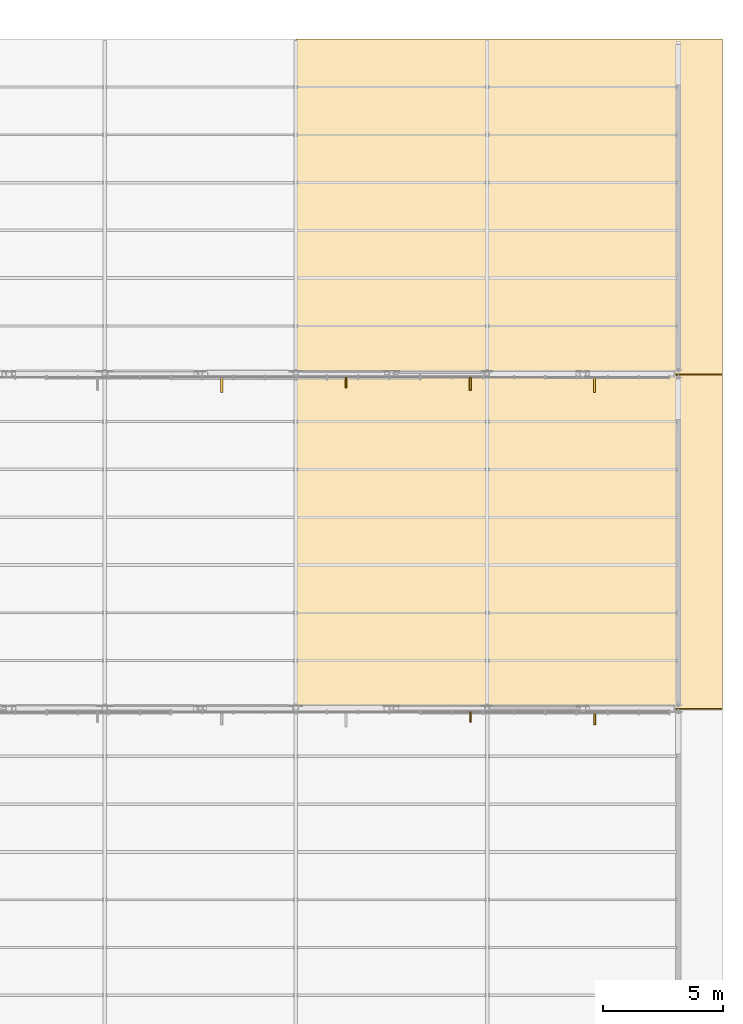
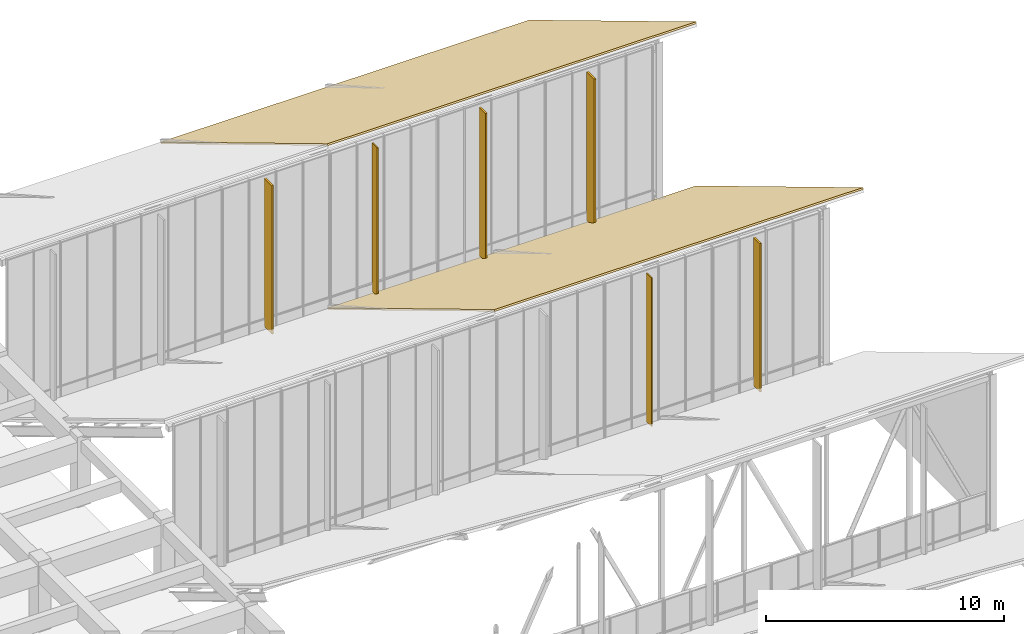
# One storey, part 155 of 155: 6 shading devices, 2 coverings.
"""IFC4 building model written with IfcOpenShell, lengths in metres."""

import ifcopenshell
import ifcopenshell.guid

model = None  # the IFC model being written
_history = None  # IfcOwnerHistory: only IFC2X3 demands one
_inside = {}  # id of a spatial element -> (the spatial element, [elements in it])
_under = {}  # id of a project, library or spatial element -> (it, [spatial elements below it])
_declared = {}  # id of a project -> (the project, [libraries it declares])
_typed = {}  # id of a type object -> (the type object, [elements of that type])
_made_of = {}  # id of a material, layer set ... -> (it, [elements and type objects made of it])


def new_model(schema):
    """Start an empty IFC model of exactly this schema.

    Asked for "IFC4X3", IfcOpenShell would pick the latest addendum, in which some entities
    have other attributes; the version numbers below select the first issue.
    IFC2X3 requires an IfcOwnerHistory on every rooted entity: one is made here for all.
    """
    global model, _history
    if schema == "IFC4X3":
        model = ifcopenshell.file(schema_version=(4, 3, 0, 0))
    else:
        model = ifcopenshell.file(schema=schema)
    _inside.clear()
    _under.clear()
    _declared.clear()
    _typed.clear()
    _made_of.clear()
    _history = None
    if model.schema == "IFC2X3":
        org = make("IfcOrganization", Name="unknown")
        user = make(
            "IfcPersonAndOrganization",
            ThePerson=make("IfcPerson", FamilyName="unknown"),
            TheOrganization=org,
        )
        app = make(
            "IfcApplication",
            ApplicationDeveloper=org,
            Version="unknown",
            ApplicationFullName="unknown",
            ApplicationIdentifier="unknown",
        )
        _history = make(
            "IfcOwnerHistory",
            OwningUser=user,
            OwningApplication=app,
            ChangeAction="ADDED",
            CreationDate=0,
        )
    return model


def make(cls, **values):
    """One entity of the class cls with the attributes given. An attribute that is None is left unset."""
    return model.create_entity(
        cls, **{name: value for name, value in values.items() if value is not None}
    )


def rooted(cls, **values):
    """An entity with a GlobalId (a new one), such as an element, a storey or a relation."""
    return make(cls, GlobalId=ifcopenshell.guid.new(), OwnerHistory=_history, **values)


def si_unit(unit_type, name, prefix=None):
    """IfcSIUnit, for example si_unit("LENGTHUNIT", "METRE", prefix="MILLI")."""
    return make("IfcSIUnit", UnitType=unit_type, Prefix=prefix, Name=name)


def assignment(units):
    """IfcUnitAssignment: the units of a project."""
    return None if units is None else make("IfcUnitAssignment", Units=units)


def point(xyz):
    """IfcCartesianPoint."""
    return None if xyz is None else make("IfcCartesianPoint", Coordinates=xyz)


def direction(xyz):
    """IfcDirection."""
    return None if xyz is None else make("IfcDirection", DirectionRatios=xyz)


def frame(location, z_axis=None, x_axis=None):
    """IfcAxis2Placement3D, a coordinate frame: its origin and axes. An axis left out is left unset."""
    return make(
        "IfcAxis2Placement3D",
        Location=point(location),
        Axis=direction(z_axis),
        RefDirection=direction(x_axis),
    )


def frame_2d(location, x_axis=None):
    """IfcAxis2Placement2D, a coordinate frame in the plane: its origin and x axis."""
    return make(
        "IfcAxis2Placement2D", Location=point(location), RefDirection=direction(x_axis)
    )


def origin():
    """The frame at (0, 0, 0) with its axes left unset."""
    return frame((0.0, 0.0, 0.0))


def origin_2d():
    """The frame at (0, 0) in the plane with its x axis left unset."""
    return frame_2d((0.0, 0.0))


def place(relative_to, where):
    """IfcLocalPlacement: puts the frame where relative to a parent placement (None: the world)."""
    return make(
        "IfcLocalPlacement", PlacementRelTo=relative_to, RelativePlacement=where
    )


def context(
    kind, dimensions, precision=None, world=None, true_north=None, identifier=None
):
    """IfcGeometricRepresentationContext, for example the 3D "Model" context."""
    return make(
        "IfcGeometricRepresentationContext",
        ContextIdentifier=identifier,
        ContextType=kind,
        CoordinateSpaceDimension=dimensions,
        Precision=precision,
        WorldCoordinateSystem=world,
        TrueNorth=true_north,
    )


def subcontext(parent, identifier, kind, view, scale=None):
    """IfcGeometricRepresentationSubContext, for example "Body" below "Model"."""
    return make(
        "IfcGeometricRepresentationSubContext",
        ContextIdentifier=identifier,
        ContextType=kind,
        ParentContext=parent,
        TargetScale=scale,
        TargetView=view,
    )


def project(units=None, contexts=None):
    """IfcProject with its units and contexts."""
    return rooted(
        "IfcProject",
        Name="project",
        RepresentationContexts=contexts,
        UnitsInContext=assignment(units),
    )


def spatial(cls, under=None, at=None, **own):
    """A site, building, storey or space (cls), placed at a placement, below another one or the project."""
    s = rooted(cls, ObjectPlacement=at, **own)
    if under is not None:
        _under.setdefault(under.id(), (under, []))[1].append(s)
    return s


def polyline(points):
    """IfcPolyline through the points."""
    return make("IfcPolyline", Points=[point(p) for p in points])


def profile(cls, at=None, kind="AREA", **sizes):
    """A parametric profile (cls). Its sizes go by their IFC names, for example OverallWidth=200.0."""
    return make(cls, ProfileType=kind, Position=at, **sizes)


def rectangle(**sizes):
    """IfcRectangleProfileDef."""
    return profile("IfcRectangleProfileDef", **sizes)


def outline(outer, holes=None, kind="AREA"):
    """IfcArbitraryClosedProfileDef: a profile drawn as a closed curve; with holes, ...WithVoids."""
    if holes is None:
        return make("IfcArbitraryClosedProfileDef", ProfileType=kind, OuterCurve=outer)
    return make(
        "IfcArbitraryProfileDefWithVoids",
        ProfileType=kind,
        OuterCurve=outer,
        InnerCurves=holes,
    )


def extrude(swept, where, along, depth):
    """IfcExtrudedAreaSolid: the profile swept, set in the frame where, extruded along a direction by depth."""
    return make(
        "IfcExtrudedAreaSolid",
        SweptArea=swept,
        Position=where,
        ExtrudedDirection=direction(along),
        Depth=depth,
    )


def shape(context_of_items, identifier, shape_type, items):
    """IfcShapeRepresentation: the items that make up one representation, for example the "Body"."""
    return make(
        "IfcShapeRepresentation",
        ContextOfItems=context_of_items,
        RepresentationIdentifier=identifier,
        RepresentationType=shape_type,
        Items=items,
    )


def material(Name=None, Category=None):
    """IfcMaterial."""
    return make("IfcMaterial", Name=Name, Category=Category)


def layer(
    of_material, thickness, ventilated=None, Name=None, Category=None, Priority=None
):
    """IfcMaterialLayer: one layer of a wall or slab, of a material (None: an air gap)."""
    return make(
        "IfcMaterialLayer",
        Material=of_material,
        LayerThickness=thickness,
        IsVentilated=ventilated,
        Name=Name,
        Category=Category,
        Priority=Priority,
    )


def layer_set(layers, Name=None):
    """IfcMaterialLayerSet."""
    return make("IfcMaterialLayerSet", MaterialLayers=layers, LayerSetName=Name)


def made_of(thing, what):
    """Note that an element or type object is made of a material, layer set ...; save() writes the relation."""
    if what is not None:
        _made_of.setdefault(what.id(), (what, []))[1].append(thing)
    return thing


def type_object(cls, material=None, **own):
    """A type object (cls), such as IfcWallType, which elements share."""
    return made_of(rooted(cls, **own), material)


def element(
    cls,
    number,
    at=None,
    inside=None,
    cuts=None,
    type_object=None,
    material=None,
    context=None,
    identifier="Body",
    shape_type=None,
    held_by="IfcProductDefinitionShape",
    body=None,
    shapes=None,
    **own,
):
    """One element of the class cls, such as IfcWall. Its Tag is "e" and its number.

    at: its placement. inside: the storey or other place that contains it. cuts: it is an
    opening in that element (IfcRelVoidsElement). A single representation is given by context,
    identifier, shape_type and body (its items); several are given by shapes. held_by: the class
    of the entity that holds the representations. save() writes the other relations.
    """
    e = rooted(cls, Tag="e%d" % number, ObjectPlacement=at, **own)
    if body is not None:
        shapes = [shape(context, identifier, shape_type, body)]
    if shapes is not None:
        e.Representation = make(held_by, Representations=shapes)
    if inside is not None:
        _inside.setdefault(inside.id(), (inside, []))[1].append(e)
    if cuts is not None:
        rooted(
            "IfcRelVoidsElement", RelatingBuildingElement=cuts, RelatedOpeningElement=e
        )
    if type_object is not None:
        _typed.setdefault(type_object.id(), (type_object, []))[1].append(e)
    return made_of(e, material)


def aggregate(whole, parts):
    """IfcRelAggregates: a whole, such as a stair, and the parts it consists of."""
    return rooted("IfcRelAggregates", RelatingObject=whole, RelatedObjects=parts)


def save(model, path):
    """Write the relations noted so far, then the file.

    IfcRelAggregates (storeys below a building ...), IfcRelContainedInSpatialStructure (elements
    in a storey), IfcRelDefinesByType, IfcRelAssociatesMaterial and IfcRelDeclares: one each for
    every whole, place, type object, material and project.
    """
    for whole, parts in _under.values():
        aggregate(whole, parts)
    for where, things in _inside.values():
        rooted(
            "IfcRelContainedInSpatialStructure",
            RelatedElements=things,
            RelatingStructure=where,
        )
    for kind, things in _typed.values():
        rooted("IfcRelDefinesByType", RelatedObjects=things, RelatingType=kind)
    for what, things in _made_of.values():
        rooted("IfcRelAssociatesMaterial", RelatedObjects=things, RelatingMaterial=what)
    for by, libraries in _declared.values():
        rooted("IfcRelDeclares", RelatingContext=by, RelatedDefinitions=libraries)
    model.write(path)


model = new_model("IFC4")

# Units and contexts
model_context = context("Model", 3, precision=1e-05, world=origin(), true_north=direction((0.0, 1.0)))
body_context = subcontext(model_context, "Body", "Model", "MODEL_VIEW")
ifc_project = project(units=[si_unit("LENGTHUNIT", "METRE"), si_unit("AREAUNIT", "SQUARE_METRE"), si_unit("VOLUMEUNIT", "CUBIC_METRE"), si_unit("PLANEANGLEUNIT", "RADIAN"), si_unit("MASSUNIT", "GRAM", prefix="KILO")], contexts=[model_context])

# Site, building, storey
site_placement = place(None, origin())
site = spatial("IfcSite", under=ifc_project, at=site_placement, CompositionType="ELEMENT")
building_placement = place(site_placement, origin())
building = spatial("IfcBuilding", under=site, at=building_placement, Name="Larkveld Mobility Hub", CompositionType="ELEMENT")
storey_placement = place(building_placement, frame((0.0, 0.0, 8.39990234375)))
storey = spatial("IfcBuildingStorey", under=building, at=storey_placement, Name="L02", CompositionType="ELEMENT", Elevation=8.39990234375)

# Coverings
ifc_material_1 = material(Name="Standing-seam zinc-alume roofing", Category="aluminium")
ifc_layer_1 = layer(ifc_material_1, 0.080078125, Name="Standing-seam zinc-alume roofing", Category="aluminium")
ifc_layer_set_1 = layer_set([ifc_layer_1], Name="Standing-seam zinc-alume roofing")
covering_type = type_object("IfcCoveringType", Name="COV-RFG-01", PredefinedType="ROOFING", material=ifc_layer_set_1)
for number, where, z_axis, x_axis, name in (
    (1, (168.0, 98.0, 8.482177734375), (0.0, 0.51450235251, 0.857488967429), (1.0, 0.0, 0.0), "Sawtooth Standing-Seam Metal Roof B6.2"),
    (2, (168.0, 112.0, 8.482177734375), (0.0, 0.51450235251, 0.857488967429), (1.0, 0.0, 0.0), "Sawtooth Standing-Seam Metal Roof B7.2"),
):
    element("IfcCovering", number, at=place(storey_placement, frame(where, z_axis=z_axis, x_axis=x_axis)), inside=storey, type_object=covering_type, Name=name, PredefinedType="ROOFING", context=body_context, shape_type="SweptSolid", body=[
        extrude(outline(polyline([(0.0, 0.0), (17.85009765625, 0.0), (17.85009765625, 16.3267406716392), (0.0, 16.3267406716392), (0.0, 0.0)])), origin(), (0.0, 0.0, -1.0), 0.080078125),
    ])

# Shading devices
ifc_material_2 = material(Name="Precast concrete C50/60", Category="concrete")
ifc_layer_2 = layer(ifc_material_2, 0.06494140625, Name="Precast concrete C50/60", Category="concrete")
ifc_layer_set_2 = layer_set([ifc_layer_2], Name="Precast concrete C50/60")
shading_device_type_1 = type_object("IfcShadingDeviceType", Name="SHD-JAL-01", PredefinedType="JALOUSIE", material=ifc_layer_set_2)
for number, where, z_axis, x_axis, name in (
    (3, (175.300048828125, 97.639892578125, 0.300048828125), (0.0, 0.0, 1.0), (1.0, 0.0, 0.0), "Sawtooth South-Light Brise-Soleil Fin SF-035"),
    (4, (170.10009765625, 111.639892578125, 0.300048828125), (0.0, 0.0, 1.0), (1.0, 0.0, 0.0), "Sawtooth South-Light Brise-Soleil Fin SF-040"),
):
    element("IfcShadingDevice", number, at=place(storey_placement, frame(where, z_axis=z_axis, x_axis=x_axis)), inside=storey, type_object=shading_device_type_1, Name=name, PredefinedType="JALOUSIE", context=body_context, shape_type="SweptSolid", body=[
        extrude(rectangle(XDim=0.06494140625, YDim=0.449951171875, at=origin_2d()), origin(), (0.0, 0.0, 1.0), 7.60009765625),
    ])
ifc_layer_3 = layer(ifc_material_2, 0.074951171875, Name="Precast concrete C50/60", Category="concrete")
ifc_layer_set_3 = layer_set([ifc_layer_3], Name="Precast concrete C50/60")
shading_device_type_2 = type_object("IfcShadingDeviceType", Name="SHD-JAL-02", PredefinedType="JALOUSIE", material=ifc_layer_set_3)
for number, where, z_axis, x_axis, name in (
    (5, (180.5, 97.590087890625, 0.300048828125), (0.0, 0.0, 1.0), (1.0, 0.0, 0.0), "Sawtooth South-Light Brise-Soleil Fin SF-036"),
    (6, (175.300048828125, 111.590087890625, 0.300048828125), (0.0, 0.0, 1.0), (1.0, 0.0, 0.0), "Sawtooth South-Light Brise-Soleil Fin SF-041"),
):
    element("IfcShadingDevice", number, at=place(storey_placement, frame(where, z_axis=z_axis, x_axis=x_axis)), inside=storey, type_object=shading_device_type_2, Name=name, PredefinedType="JALOUSIE", context=body_context, shape_type="SweptSolid", body=[
        extrude(rectangle(XDim=0.074951171875, YDim=0.550048828125, at=origin_2d()), origin(), (0.0, 0.0, 1.0), 7.60009765625),
    ])
ifc_layer_4 = layer(ifc_material_2, 0.0849609375, Name="Precast concrete C50/60", Category="concrete")
ifc_layer_set_4 = layer_set([ifc_layer_4], Name="Precast concrete C50/60")
shading_device_type_3 = type_object("IfcShadingDeviceType", Name="SHD-JAL-03", PredefinedType="JALOUSIE", material=ifc_layer_set_4)
for number, where, z_axis, x_axis, name in (
    (7, (164.89990234375, 111.5400390625, 0.300048828125), (0.0, 0.0, 1.0), (1.0, 0.0, 0.0), "Sawtooth South-Light Brise-Soleil Fin SF-039"),
    (8, (180.5, 111.5400390625, 0.300048828125), (0.0, 0.0, 1.0), (1.0, 0.0, 0.0), "Sawtooth South-Light Brise-Soleil Fin SF-042"),
):
    element("IfcShadingDevice", number, at=place(storey_placement, frame(where, z_axis=z_axis, x_axis=x_axis)), inside=storey, type_object=shading_device_type_3, Name=name, PredefinedType="JALOUSIE", context=body_context, shape_type="SweptSolid", body=[
        extrude(rectangle(XDim=0.0849609375, YDim=0.64990234375, at=origin_2d()), origin(), (0.0, 0.0, 1.0), 7.60009765625),
    ])

save(model, "model.ifc")
